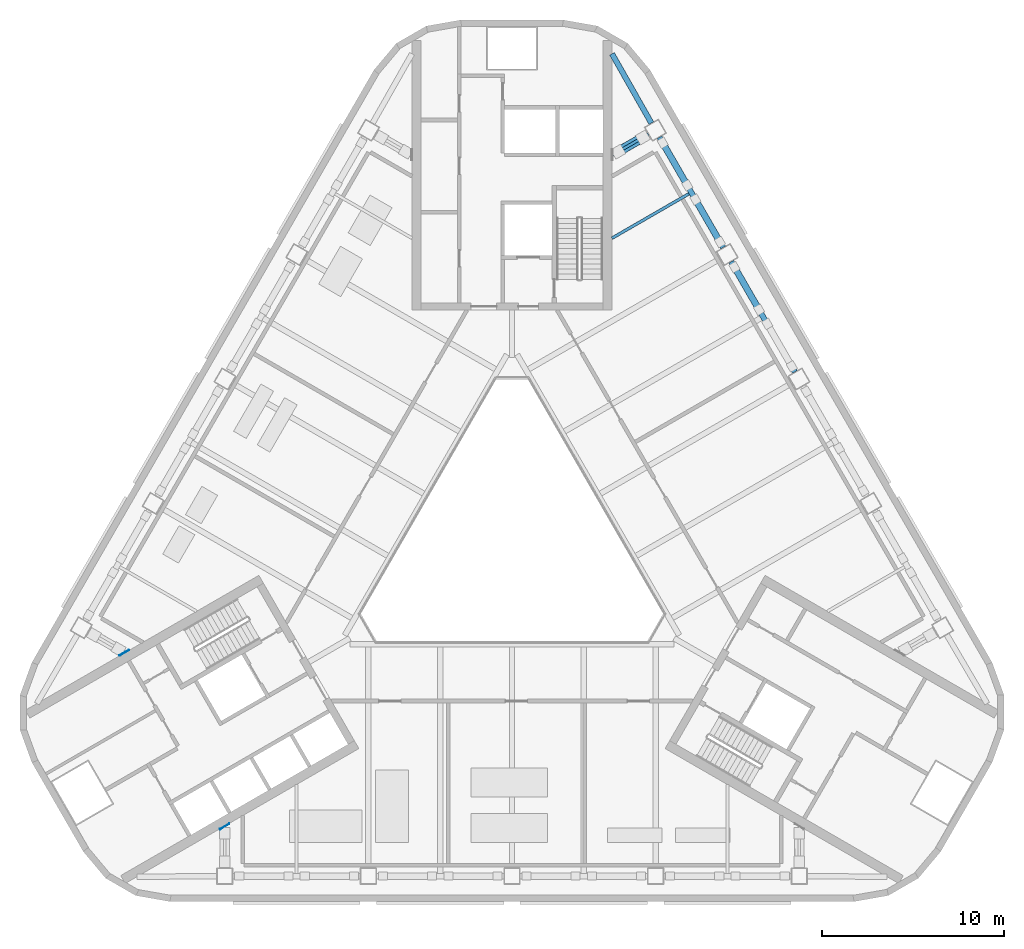
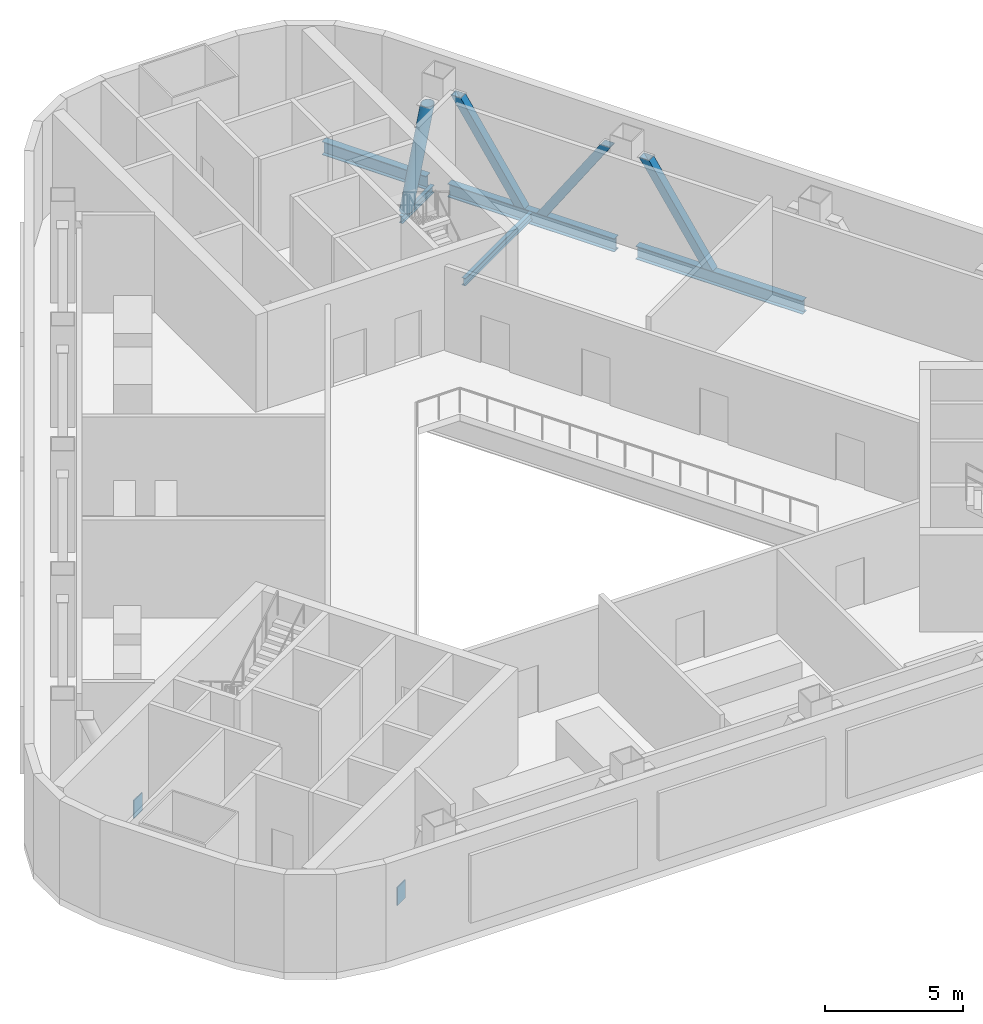
# One storey, part 3 of 14: 5 beams, 4 members, 2 plates.
"""IFC4 building model written with IfcOpenShell, lengths in metres."""

from ifc_helpers import new_model, si_unit, direction, frame, origin, origin_2d, place, context, subcontext, project, spatial, rectangle, hollow_rectangle, hollow_circle, i_section, extrude, boolean, halfspace, material, layer, layer_set, material_profile, profile_set, type_object, element, save


model = new_model("IFC4")

# Units and contexts
model_context = context("Model", 3, precision=1e-05, world=origin(), true_north=direction((0.0, 1.0)))
body_context = subcontext(model_context, "Body", "Model", "MODEL_VIEW")
ifc_project = project(units=[si_unit("LENGTHUNIT", "METRE"), si_unit("AREAUNIT", "SQUARE_METRE"), si_unit("VOLUMEUNIT", "CUBIC_METRE"), si_unit("PLANEANGLEUNIT", "RADIAN"), si_unit("MASSUNIT", "GRAM", prefix="KILO")], contexts=[model_context])

# Site, building, storey
site_placement = place(None, origin())
site = spatial("IfcSite", under=ifc_project, at=site_placement, CompositionType="ELEMENT")
building_placement = place(site_placement, origin())
building = spatial("IfcBuilding", under=site, at=building_placement, Name="Apuvela Tower Hotel", CompositionType="ELEMENT")
storey_placement = place(building_placement, frame((0.0, 0.0, 142.10009765625)))
storey = spatial("IfcBuildingStorey", under=building, at=storey_placement, Name="L33 Plant", CompositionType="ELEMENT", Elevation=142.10009765625)

# Beams
ifc_material = material(Name="Steel S355", Category="steel")
ifc_material_profile_1 = material_profile(ifc_material, i_section(OverallWidth=0.159912109375, OverallDepth=0.330078125, WebThickness=0.007568359375, FlangeThickness=0.011474609375, at=origin_2d()), Name="IPE 330")
ifc_profile_set_1 = profile_set([ifc_material_profile_1], Name="Steel S355")
beam_type_1 = type_object("IfcBeamType", Name="STR-B floor beam IPE 330", PredefinedType="BEAM", material=ifc_profile_set_1)
beam_1_placement = place(storey_placement, frame((9.732666015625, 19.302490234375, -0.465087890625), z_axis=(-0.866015056278, -0.500017921979, 0.0), x_axis=(0.500017921979, -0.866015056278, 0.0)))
element("IfcBeam", 1, at=beam_1_placement, inside=storey, type_object=beam_type_1, Name="Floor beam B1 NE8", PredefinedType="BEAM", context=body_context, shape_type="SweptSolid", body=[
    extrude(i_section(OverallWidth=0.159912109375, OverallDepth=0.330078125, WebThickness=0.007568359375, FlangeThickness=0.011474609375, at=origin_2d()), origin(), (0.0, 0.0, 1.0), 4.887451171875),
])
beam_2_placement = place(storey_placement, frame((7.497802734375, 22.5732421875, -0.465087890625), z_axis=(-0.866000531106, -0.500043078269, 0.0), x_axis=(0.500043078269, -0.866000531106, 0.0)))
element("IfcBeam", 2, at=beam_2_placement, inside=storey, type_object=beam_type_1, Name="Floor beam B1 NE9", PredefinedType="BEAM", context=body_context, shape_type="SweptSolid", body=[
    extrude(i_section(OverallWidth=0.159912109375, OverallDepth=0.330078125, WebThickness=0.007568359375, FlangeThickness=0.011474609375, at=origin_2d()), origin(), (0.0, 0.0, 1.0), 2.306884765625),
])
ifc_material_profile_2 = material_profile(ifc_material, i_section(OverallWidth=0.300048828125, OverallDepth=0.590087890625, WebThickness=0.012939453125, FlangeThickness=0.02490234375, at=origin_2d()), Name="HE 600 A")
ifc_profile_set_2 = profile_set([ifc_material_profile_2], Name="Steel S355")
beam_type_2 = type_object("IfcBeamType", Name="STR-SB spandrel beam HE 600 A", PredefinedType="SPANDREL", material=ifc_profile_set_2)
for number, where, z_axis, x_axis, name in (
    (3, (15.5625, 9.504638671875, -0.59521484375), (-0.499995173006, 0.866028190633, 0.0), (-0.866028190633, -0.499995173006, 0.0), "Spandrel beam SB2 NE3"),
    (4, (11.612548828125, 16.34619140625, -0.59521484375), (-0.499995173006, 0.866028190633, 0.0), (-0.866028190633, -0.499995173006, 0.0), "Spandrel beam SB2 NE4"),
):
    element("IfcBeam", number, at=place(storey_placement, frame(where, z_axis=z_axis, x_axis=x_axis)), inside=storey, type_object=beam_type_2, Name=name, PredefinedType="SPANDREL", context=body_context, shape_type="SweptSolid", body=[
        extrude(i_section(OverallWidth=0.300048828125, OverallDepth=0.590087890625, WebThickness=0.012939453125, FlangeThickness=0.02490234375, at=origin_2d()), origin(), (0.0, 0.0, 1.0), 7.0),
    ])
beam_3_placement = place(storey_placement, frame((7.665283203125, 23.189453125, -0.59521484375), z_axis=(-0.494043860968, 0.869436980718, 0.0), x_axis=(-0.869436980718, -0.494043860968, 0.0)))
element("IfcBeam", 5, at=beam_3_placement, inside=storey, type_object=beam_type_2, Name="Spandrel beam SB2 NE5-N", PredefinedType="SPANDREL", context=body_context, shape_type="SweptSolid", body=[
    extrude(i_section(OverallWidth=0.300048828125, OverallDepth=0.590087890625, WebThickness=0.012939453125, FlangeThickness=0.02490234375, at=origin_2d()), origin(), (0.0, 0.0, 1.0), 4.3828125),
])

# Members
ifc_material_profile_3 = material_profile(ifc_material, hollow_rectangle(XDim=0.35009765625, YDim=0.35009765625, WallThickness=0.01611328125, at=origin_2d()), Name="SHS 350x350x16")
ifc_profile_set_3 = profile_set([ifc_material_profile_3], Name="Steel S355")
member_type_1 = type_object("IfcMemberType", Name="STR-T1 belt truss diagonal SHS 350x350x16", PredefinedType="BRACE", material=ifc_profile_set_3)
member_1_placement = place(storey_placement, frame((13.587646484375, 12.925537109375, -0.300048828125), z_axis=(-0.278314953575, 0.48204351272, 0.830767620012), x_axis=(0.415391647684, -0.71946133843, 0.556619404566)))
solid_1 = boolean("DIFFERENCE", boolean("DIFFERENCE", extrude(hollow_rectangle(XDim=0.35009765625, YDim=0.35009765625, WallThickness=0.01611328125, at=origin_2d()), frame((0.0, 0.0, -0.2373046875)), (0.0, 0.0, 1.0), 5.325439453125), halfspace(frame((0.0, 0.0, 0.02392578125), z_axis=(0.556619404566, 0.0, 0.830767620012), x_axis=(0.830767620012, 0.0, -0.556619404566)), True)), halfspace(frame((0.0, 0.0, 4.826904296875), z_axis=(0.556619404566, 0.0, 0.830767620012), x_axis=(0.830767620012, 0.0, -0.556619404566)), False))
element("IfcMember", 6, at=member_1_placement, inside=storey, type_object=member_type_1, Name="Belt truss diagonal BR2 NE3", PredefinedType="BRACE", context=body_context, shape_type="SweptSolid", body=[
    boolean("UNION", boolean("DIFFERENCE", boolean("DIFFERENCE", extrude(hollow_rectangle(XDim=0.35009765625, YDim=0.35009765625, WallThickness=0.01611328125, at=origin_2d()), origin(), (0.0, 0.0, 1.0), 4.85107421875), halfspace(frame((0.0, 0.0, 0.02392578125), z_axis=(0.556619404566, 0.0, 0.830767620012), x_axis=(0.830767620012, 0.0, -0.556619404566)), True)), halfspace(frame((0.0, 0.0, 4.826904296875), z_axis=(0.556619404566, 0.0, 0.830767620012), x_axis=(0.830767620012, 0.0, -0.556619404566)), False)), solid_1),
])
member_2_placement = place(storey_placement, frame((10.087646484375, 18.98779296875, -0.300048828125), z_axis=(0.278268522781, -0.482050264279, 0.830779255842), x_axis=(-0.415341124785, 0.719503941615, 0.556602037422)))
solid_2 = boolean("DIFFERENCE", boolean("DIFFERENCE", extrude(hollow_rectangle(XDim=0.35009765625, YDim=0.35009765625, WallThickness=0.01611328125, at=origin_2d()), frame((0.0, 0.0, -0.2373046875)), (0.0, 0.0, 1.0), 5.3251953125), halfspace(frame((0.0, 0.0, 0.02392578125), z_axis=(0.556602037422, 0.0, 0.830779255842), x_axis=(0.830779255842, 0.0, -0.556602037422)), True)), halfspace(frame((0.0, 0.0, 4.82666015625), z_axis=(0.556602037422, 0.0, 0.830779255842), x_axis=(0.830779255842, 0.0, -0.556602037422)), False))
element("IfcMember", 7, at=member_2_placement, inside=storey, type_object=member_type_1, Name="Belt truss diagonal BR2 NE4", PredefinedType="BRACE", context=body_context, shape_type="SweptSolid", body=[
    boolean("UNION", boolean("DIFFERENCE", boolean("DIFFERENCE", extrude(hollow_rectangle(XDim=0.35009765625, YDim=0.35009765625, WallThickness=0.01611328125, at=origin_2d()), origin(), (0.0, 0.0, 1.0), 4.850830078125), halfspace(frame((0.0, 0.0, 0.02392578125), z_axis=(0.556602037422, 0.0, 0.830779255842), x_axis=(0.830779255842, 0.0, -0.556602037422)), True)), halfspace(frame((0.0, 0.0, 4.82666015625), z_axis=(0.556602037422, 0.0, 0.830779255842), x_axis=(0.830779255842, 0.0, -0.556602037422)), False)), solid_2),
])
member_3_placement = place(storey_placement, frame((9.6376953125, 19.76708984375, -0.300048828125), z_axis=(-0.278314953575, 0.48204351272, 0.830767620012), x_axis=(0.415391647684, -0.71946133843, 0.556619404566)))
solid_3 = boolean("DIFFERENCE", boolean("DIFFERENCE", extrude(hollow_rectangle(XDim=0.35009765625, YDim=0.35009765625, WallThickness=0.01611328125, at=origin_2d()), frame((0.0, 0.0, -0.2373046875)), (0.0, 0.0, 1.0), 5.325439453125), halfspace(frame((0.0, 0.0, 0.02392578125), z_axis=(0.556619404566, 0.0, 0.830767620012), x_axis=(0.830767620012, 0.0, -0.556619404566)), True)), halfspace(frame((0.0, 0.0, 4.826904296875), z_axis=(0.556619404566, 0.0, 0.830767620012), x_axis=(0.830767620012, 0.0, -0.556619404566)), False))
element("IfcMember", 8, at=member_3_placement, inside=storey, type_object=member_type_1, Name="Belt truss diagonal BR2 NE4", PredefinedType="BRACE", context=body_context, shape_type="SweptSolid", body=[
    boolean("UNION", boolean("DIFFERENCE", boolean("DIFFERENCE", extrude(hollow_rectangle(XDim=0.35009765625, YDim=0.35009765625, WallThickness=0.01611328125, at=origin_2d()), origin(), (0.0, 0.0, 1.0), 4.85107421875), halfspace(frame((0.0, 0.0, 0.02392578125), z_axis=(0.556619404566, 0.0, 0.830767620012), x_axis=(0.830767620012, 0.0, -0.556619404566)), True)), halfspace(frame((0.0, 0.0, 4.826904296875), z_axis=(0.556619404566, 0.0, 0.830767620012), x_axis=(0.830767620012, 0.0, -0.556619404566)), False)), solid_3),
])
ifc_material_profile_4 = material_profile(ifc_material, hollow_circle(Radius=0.25390625, WallThickness=0.02001953125, at=origin_2d()), Name="CHS 508x20")
ifc_profile_set_4 = profile_set([ifc_material_profile_4], Name="Steel S355")
member_type_2 = type_object("IfcMemberType", Name="STR-T1 outrigger truss diagonal CHS 508x20", PredefinedType="BRACE", material=ifc_profile_set_4)
member_4_placement = place(storey_placement, frame((5.843017578125, 21.617919921875, -0.300048828125), z_axis=(0.326418382497, 0.188411260694, 0.926257111396), x_axis=(-0.802211647734, -0.463042879927, 0.376892244001)))
solid_4 = boolean("DIFFERENCE", boolean("DIFFERENCE", extrude(hollow_circle(Radius=0.25390625, WallThickness=0.02001953125, at=origin_2d()), frame((0.0, 0.0, -0.223388671875)), (0.0, 0.0, 1.0), 4.587890625), halfspace(frame((0.0, 0.0, 0.021484375), z_axis=(0.376892244001, 0.0, 0.926257111396), x_axis=(0.926257111396, 0.0, -0.376892244001)), True)), halfspace(frame((0.0, 0.0, 4.119873046875), z_axis=(0.376892244001, 0.0, 0.926257111396), x_axis=(0.926257111396, 0.0, -0.376892244001)), False))
element("IfcMember", 9, at=member_4_placement, inside=storey, type_object=member_type_2, Name="Outrigger diagonal OD2 NE5", PredefinedType="BRACE", context=body_context, shape_type="SweptSolid", body=[
    boolean("UNION", boolean("DIFFERENCE", boolean("DIFFERENCE", extrude(hollow_circle(Radius=0.25390625, WallThickness=0.02001953125, at=origin_2d()), origin(), (0.0, 0.0, 1.0), 4.141357421875), halfspace(frame((0.0, 0.0, 0.021484375), z_axis=(0.376892244001, 0.0, 0.926257111396), x_axis=(0.926257111396, 0.0, -0.376892244001)), True)), halfspace(frame((0.0, 0.0, 4.119873046875), z_axis=(0.376892244001, 0.0, 0.926257111396), x_axis=(0.926257111396, 0.0, -0.376892244001)), False)), solid_4),
])

# Plates
ifc_layer = layer(ifc_material, 0.0400390625)
ifc_layer_set = layer_set([ifc_layer], Name="STR-CP 40 Steel S355")
plate_type = type_object("IfcPlateType", Name="STR-CP 40 Steel S355", PredefinedType="SHEET", material=ifc_layer_set)
for number, where, z_axis, x_axis, name in (
    (10, (-21.330078125, -5.94091796875, -0.865234375), (0.0, 0.0, 1.0), (0.5, -0.866025403784, 0.0), "Cast-in plate CP-T1-82 40"),
    (11, (-15.81005859375, -15.501953125, -0.865234375), (0.0, 0.0, 1.0), (-0.5, 0.866025403784, 0.0), "Cast-in plate CP-T1-83 40"),
):
    element("IfcPlate", number, at=place(storey_placement, frame(where, z_axis=z_axis, x_axis=x_axis)), inside=storey, type_object=plate_type, Name=name, PredefinedType="SHEET", context=body_context, shape_type="SweptSolid", body=[
        extrude(rectangle(XDim=0.0400390625, YDim=0.60009765625, at=origin_2d()), origin(), (0.0, 0.0, 1.0), 0.800048828125),
    ])

save(model, "model.ifc")
